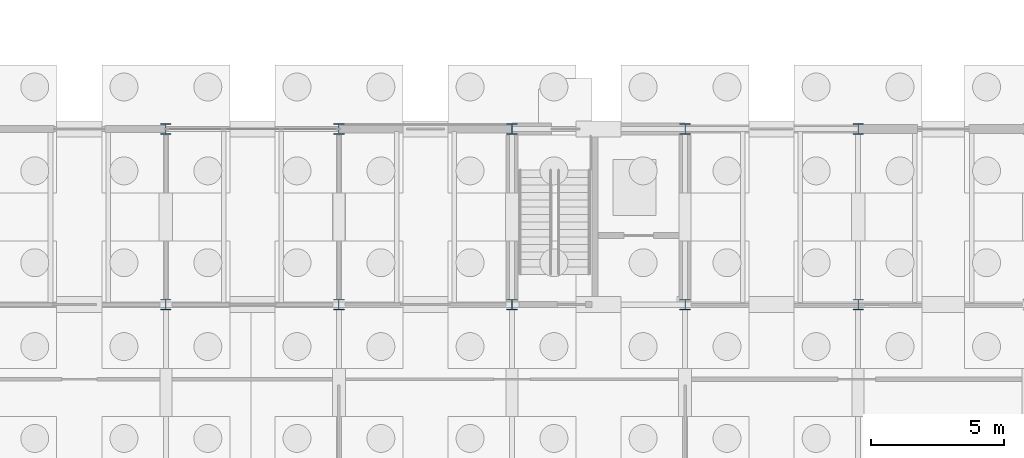
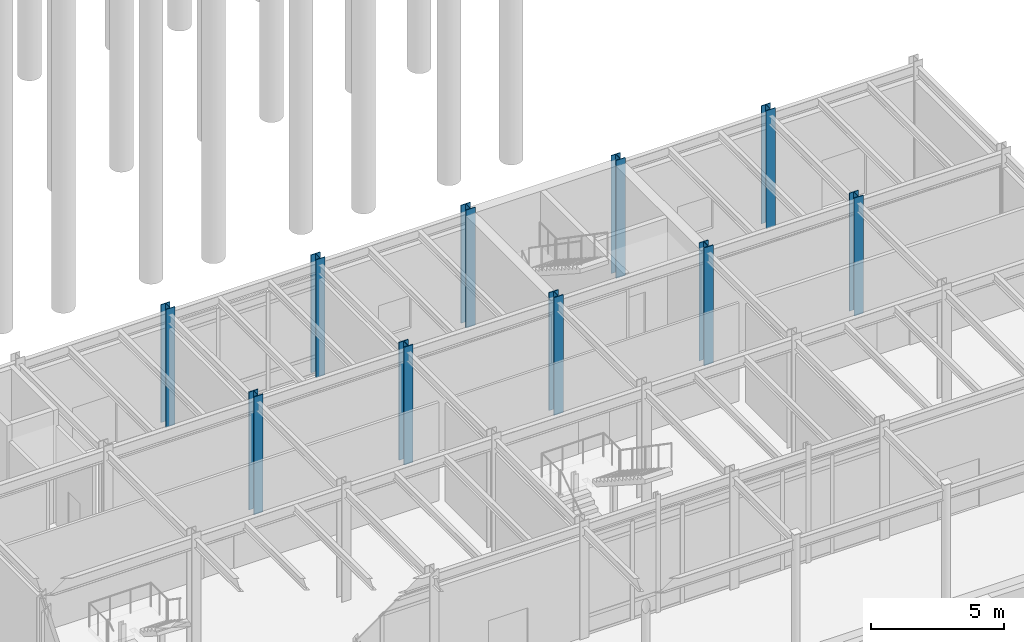
# One storey, part 25 of 82: 10 columns.
"""IFC4 building model written with IfcOpenShell, lengths in metres."""

from ifc_helpers import new_model, si_unit, direction, frame, origin, origin_2d, place, context, subcontext, project, spatial, i_section, extrude, material, material_profile, profile_set, type_object, element, save


model = new_model("IFC4")

# Units and contexts
model_context = context("Model", 3, precision=1e-05, world=origin(), true_north=direction((0.0, 1.0)))
body_context = subcontext(model_context, "Body", "Model", "MODEL_VIEW")
ifc_project = project(units=[si_unit("LENGTHUNIT", "METRE"), si_unit("AREAUNIT", "SQUARE_METRE"), si_unit("VOLUMEUNIT", "CUBIC_METRE"), si_unit("PLANEANGLEUNIT", "RADIAN"), si_unit("MASSUNIT", "GRAM", prefix="KILO")], contexts=[model_context])

# Site, building, storey
site_placement = place(None, origin())
site = spatial("IfcSite", under=ifc_project, at=site_placement, CompositionType="ELEMENT")
building_placement = place(site_placement, origin())
building = spatial("IfcBuilding", under=site, at=building_placement, Name="Trelmorton Wharf Fire Station", CompositionType="ELEMENT")
storey_placement = place(building_placement, origin())
storey = spatial("IfcBuildingStorey", under=building, at=storey_placement, Name="L00", CompositionType="ELEMENT", Elevation=0.0)

# Columns
ifc_material = material(Name="Steel Grade 350", Category="steel")
ifc_material_profile = material_profile(ifc_material, i_section(OverallWidth=0.39990234375, OverallDepth=0.39990234375, WebThickness=0.02001953125, FlangeThickness=0.031982421875, at=origin_2d()), Name="400WC270")
ifc_profile_set = profile_set([ifc_material_profile], Name="Steel Grade 350")
column_type = type_object("IfcColumnType", Name="COL_400WC270", PredefinedType="COLUMN", material=ifc_profile_set)
for number, where, z_axis, x_axis, name in (
    (1, (130.0, 21.0, 0.0), (0.0, 0.0, 1.0), (1.0, 0.0, 0.0), "COL-L00-0195"),
    (2, (130.0, 27.60009765625, 0.0), (0.0, 0.0, 1.0), (1.0, 0.0, 0.0), "COL-L00-0196"),
    (3, (136.5, 21.0, 0.0), (0.0, 0.0, 1.0), (1.0, 0.0, 0.0), "COL-L00-0204"),
    (4, (136.5, 27.60009765625, 0.0), (0.0, 0.0, 1.0), (1.0, 0.0, 0.0), "COL-L00-0205"),
    (5, (143.0, 21.0, 0.0), (0.0, 0.0, 1.0), (1.0, 0.0, 0.0), "COL-L00-0213"),
    (6, (143.0, 27.60009765625, 0.0), (0.0, 0.0, 1.0), (1.0, 0.0, 0.0), "COL-L00-0214"),
    (7, (149.5, 21.0, 0.0), (0.0, 0.0, 1.0), (1.0, 0.0, 0.0), "COL-L00-0222"),
    (8, (149.5, 27.60009765625, 0.0), (0.0, 0.0, 1.0), (1.0, 0.0, 0.0), "COL-L00-0223"),
    (9, (156.0, 21.0, 0.0), (0.0, 0.0, 1.0), (1.0, 0.0, 0.0), "COL-L00-0231"),
    (10, (156.0, 27.60009765625, 0.0), (0.0, 0.0, 1.0), (1.0, 0.0, 0.0), "COL-L00-0232"),
):
    element("IfcColumn", number, at=place(storey_placement, frame(where, z_axis=z_axis, x_axis=x_axis)), inside=storey, type_object=column_type, Name=name, PredefinedType="COLUMN", context=body_context, shape_type="SweptSolid", body=[
        extrude(i_section(OverallWidth=0.39990234375, OverallDepth=0.39990234375, WebThickness=0.02001953125, FlangeThickness=0.031982421875, at=origin_2d()), origin(), (0.0, 0.0, 1.0), 5.39990234375),
    ])

save(model, "model.ifc")
